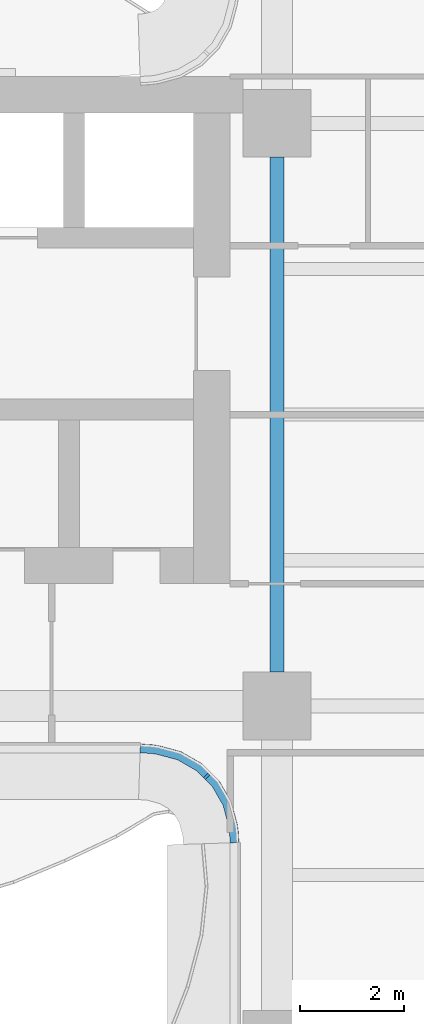
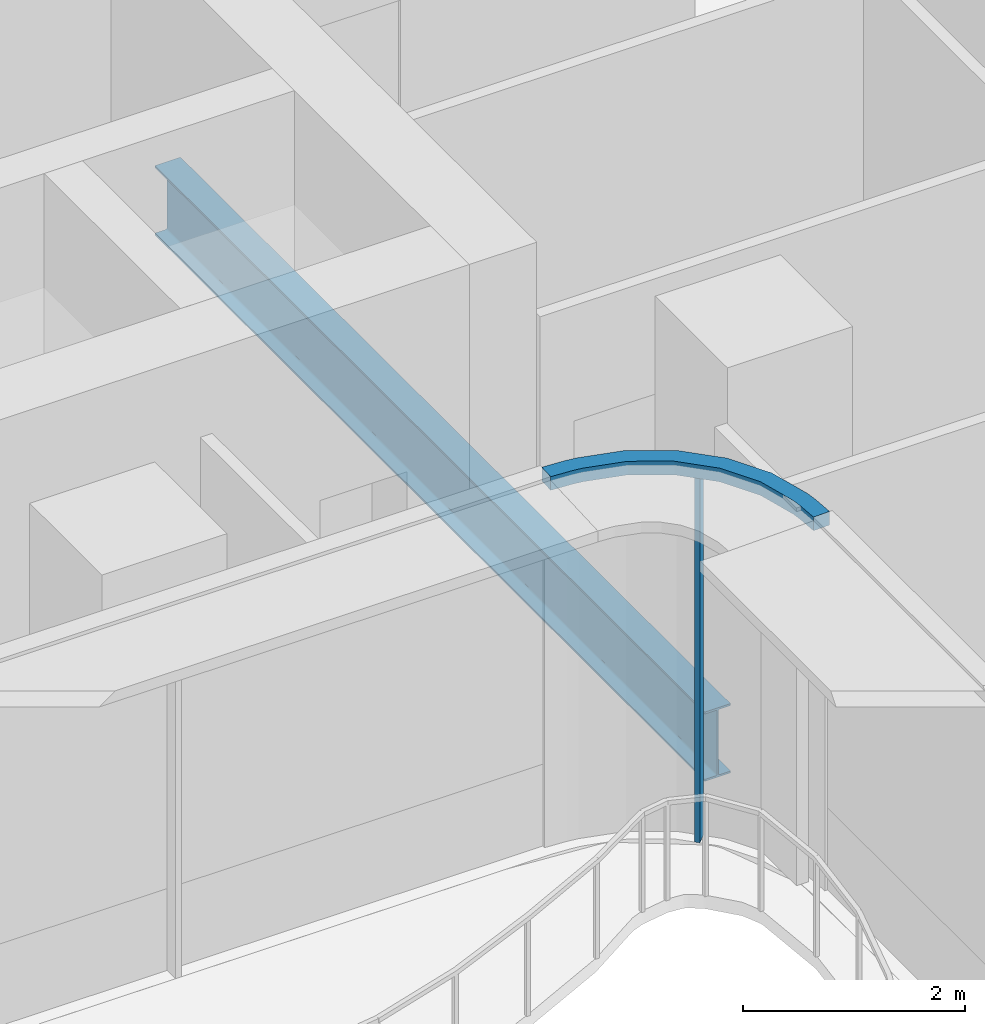
# One storey, part 4 of 20: 2 members, 1 beam, 1 element without a shape of its own.
"""IFC4 building model written with IfcOpenShell, lengths in metres."""

from ifc_helpers import new_model, si_unit, direction, frame, origin, origin_2d, place, context, subcontext, project, spatial, polyline, rectangle, i_section, outline, extrude, source, transform, mapped, material, layer, layer_set, material_profile, profile_set, type_object, element, aggregate, save


model = new_model("IFC4")

# Units and contexts
model_context = context("Model", 3, precision=1e-05, world=origin(), true_north=direction((0.0, 1.0)))
body_context = subcontext(model_context, "Body", "Model", "MODEL_VIEW")
ifc_project = project(units=[si_unit("LENGTHUNIT", "METRE"), si_unit("AREAUNIT", "SQUARE_METRE"), si_unit("VOLUMEUNIT", "CUBIC_METRE"), si_unit("PLANEANGLEUNIT", "RADIAN"), si_unit("MASSUNIT", "GRAM", prefix="KILO")], contexts=[model_context])

# Site, building, storey
site_placement = place(None, origin())
site = spatial("IfcSite", under=ifc_project, at=site_placement, CompositionType="ELEMENT")
building_placement = place(site_placement, origin())
building = spatial("IfcBuilding", under=site, at=building_placement, Name="Trellis Farm Tower", CompositionType="ELEMENT")
storey_placement = place(building_placement, frame((0.0, 0.0, 151.5)))
storey = spatial("IfcBuildingStorey", under=building, at=storey_placement, Name="L32", CompositionType="ELEMENT", Elevation=151.5)

# Beam
ifc_material_1 = material(Name="Steel S355", Category="steel")
ifc_material_profile_1 = material_profile(ifc_material_1, i_section(OverallWidth=0.2666015625, OverallDepth=0.76220703125, WebThickness=0.014404296875, FlangeThickness=0.021484375, FilletRadius=0.0166015625, at=origin_2d()), Name="UB 762x267x173")
ifc_profile_set_1 = profile_set([ifc_material_profile_1], Name="Steel S355")
beam_type = type_object("IfcBeamType", Name="UB 762x267x173", PredefinedType="BEAM", material=ifc_profile_set_1)
shared_shape_1 = source(origin(), body_context, "Body", "SweptSolid", [
    extrude(i_section(OverallWidth=0.2666015625, OverallDepth=0.76220703125, WebThickness=0.014404296875, FlangeThickness=0.021484375, FilletRadius=0.0166015625, at=origin_2d()), origin(), (0.0, 0.0, 1.0), 9.89990234375),
])
beam_placement = place(storey_placement, frame((-5.60009765625, -4.949951171875, -0.631103515625), z_axis=(0.0, 1.0, 0.0), x_axis=(-1.0, 0.0, 0.0)))
element("IfcBeam", 1, at=beam_placement, inside=storey, type_object=beam_type, Name="Girder", PredefinedType="BEAM", context=body_context, shape_type="MappedRepresentation", body=[
    mapped(shared_shape_1, transform((0.0, 0.0, 0.0))),
])

# Curtain wall, members
ifc_material_2 = material(Name="Aluminium and glass curtain wall", Category="aluminium")
ifc_layer_1 = layer(ifc_material_2, 0.166015625)
ifc_layer_set_1 = layer_set([ifc_layer_1], Name="WINTER GARDEN CURTAIN WALL CW3")
curtain_wall_type = type_object("IfcCurtainWallType", Name="WINTER GARDEN CURTAIN WALL CW3", PredefinedType="NOTDEFINED", material=ifc_layer_set_1)
curtain_wall_placement = place(storey_placement, origin())
curtain_wall = element("IfcCurtainWall", 2, at=curtain_wall_placement, inside=storey, type_object=curtain_wall_type, Name="CW3 001", PredefinedType="NOTDEFINED")
ifc_material_3 = material(Name="Aluminium extrusion 6063-T6", Category="aluminium")
ifc_layer_2 = layer(ifc_material_3, 0.169921875)
ifc_layer_set_2 = layer_set([ifc_layer_2], Name="Aluminium extrusion 6063-T6")
member_type_1 = type_object("IfcMemberType", Name="CW3 TRANSOM 170x150", PredefinedType="USERDEFINED", material=ifc_layer_set_2)
shared_shape_2 = source(origin(), body_context, "Body", "SweptSolid", [
    extrude(outline(polyline([(-8.2314453125, -6.5), (-8.01953125, -6.513916015625), (-7.91552734375, -6.527587890625), (-7.508544921875, -6.63671875), (-7.144287109375, -6.846923828125), (-6.846923828125, -7.144287109375), (-6.63671875, -7.508544921875), (-6.527587890625, -7.91552734375), (-6.513916015625, -8.01953125), (-6.5, -8.2314453125), (-6.330078125, -8.225830078125), (-6.3447265625, -8.0029296875), (-6.360595703125, -7.88232421875), (-6.478271484375, -7.44287109375), (-6.7109375, -7.0400390625), (-7.0400390625, -6.7109375), (-7.44287109375, -6.478271484375), (-7.88232421875, -6.360595703125), (-8.0029296875, -6.3447265625), (-8.225830078125, -6.330078125), (-8.2314453125, -6.5)])), origin(), (0.0, 0.0, 1.0), 0.14990234375),
])
member_1_placement = place(storey_placement, frame((0.0, 0.0, 4.0)))
member_1 = element("IfcMember", 3, at=member_1_placement, type_object=member_type_1, Name="TR3 001", ObjectType="TRANSOM", PredefinedType="USERDEFINED", context=body_context, shape_type="MappedRepresentation", body=[
    mapped(shared_shape_2, transform((0.0, 0.0, 0.0))),
])
ifc_material_profile_2 = material_profile(ifc_material_3, rectangle(XDim=0.050048828125, YDim=0.1201171875, at=origin_2d()), Name="MULLION 50x120")
ifc_profile_set_2 = profile_set([ifc_material_profile_2], Name="Aluminium extrusion 6063-T6")
member_type_2 = type_object("IfcMemberType", Name="CW3 MULLION 50x120", PredefinedType="MULLION", material=ifc_profile_set_2)
shared_shape_3 = source(origin(), body_context, "Body", "SweptSolid", [
    extrude(rectangle(XDim=0.050048828125, YDim=0.1201171875, at=origin_2d()), origin(), (0.0, 0.0, 1.0), 4.0),
])
member_2_placement = place(storey_placement, frame((-6.953125, -6.953125, 0.0), z_axis=(0.0, 0.0, 1.0), x_axis=(0.707106781187, -0.707106781187, 0.0)))
member_2 = element("IfcMember", 4, at=member_2_placement, type_object=member_type_2, Name="MU3 001-01", PredefinedType="MULLION", context=body_context, shape_type="MappedRepresentation", body=[
    mapped(shared_shape_3, transform((0.0, 0.0, 0.0))),
])
aggregate(curtain_wall, [member_2, member_1])

save(model, "model.ifc")
